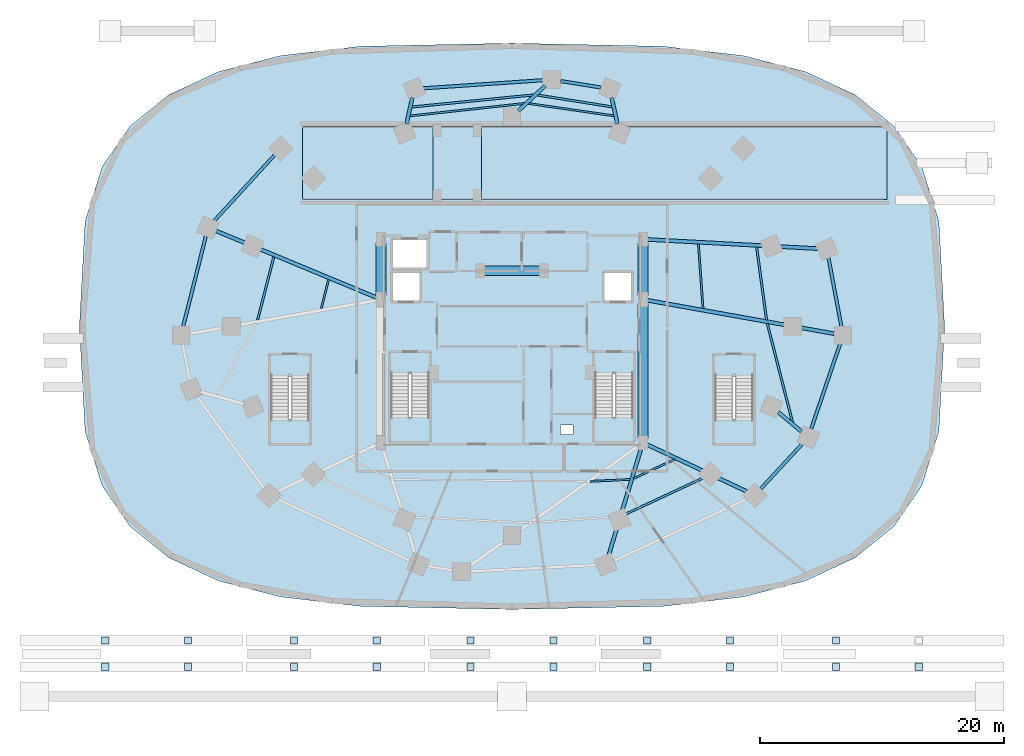
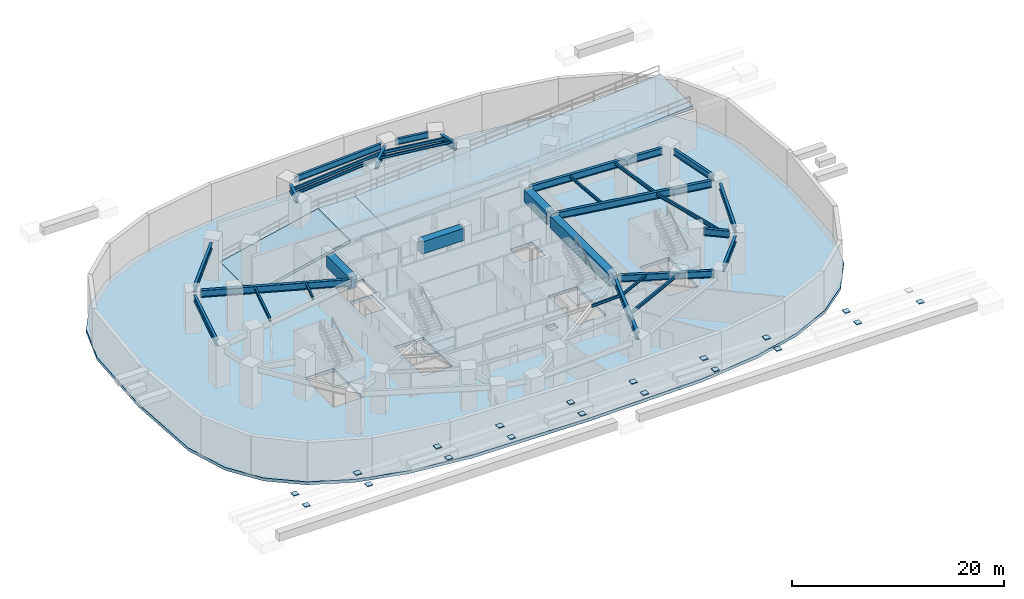
# One storey, part 2 of 8: 32 beams, 19 plates, 8 slabs, 4 elements without a shape of their own.
"""IFC4 building model written with IfcOpenShell, lengths in metres."""

from ifc_helpers import new_model, si_unit, direction, frame, origin, origin_2d, place, context, subcontext, project, spatial, polyline, rectangle, i_section, outline, extrude, material, layer, layer_set, material_profile, profile_set, type_object, element, aggregate, save


model = new_model("IFC4")

# Units and contexts
model_context = context("Model", 3, precision=1e-05, world=origin(), true_north=direction((0.0, 1.0)))
body_context = subcontext(model_context, "Body", "Model", "MODEL_VIEW")
ifc_project = project(units=[si_unit("LENGTHUNIT", "METRE"), si_unit("AREAUNIT", "SQUARE_METRE"), si_unit("VOLUMEUNIT", "CUBIC_METRE"), si_unit("PLANEANGLEUNIT", "RADIAN"), si_unit("MASSUNIT", "GRAM", prefix="KILO")], contexts=[model_context])

# Site, building, storey
site_placement = place(None, origin())
site = spatial("IfcSite", under=ifc_project, at=site_placement, CompositionType="ELEMENT")
building_placement = place(site_placement, origin())
building = spatial("IfcBuilding", under=site, at=building_placement, Name="Vorneva Point Tower", CompositionType="ELEMENT")
storey_placement = place(building_placement, frame((0.0, 0.0, -4.800048828125)))
storey = spatial("IfcBuildingStorey", under=building, at=storey_placement, Name="B01", CompositionType="ELEMENT", Elevation=-4.800048828125)

# Beams
ifc_material_1 = material(Name="Steel S355", Category="steel")
ifc_material_profile_1 = material_profile(ifc_material_1, i_section(OverallWidth=0.300048828125, OverallDepth=0.7880859375, WebThickness=0.014404296875, FlangeThickness=0.02197265625, at=origin_2d()), Name="80Sh1")
ifc_profile_set_1 = profile_set([ifc_material_profile_1], Name="Steel S355")
beam_type_1 = type_object("IfcBeamType", Name="BM-GRD-80Sh1", PredefinedType="USERDEFINED", material=ifc_profile_set_1)
beam_1_placement = place(storey_placement, frame((64.45556640625, 25.390869140625, 4.066162109375), z_axis=(-0.984377963628, 0.176068238829, 0.0), x_axis=(-0.176068238829, -0.984377963628, 0.0)))
element("IfcBeam", 1, at=beam_1_placement, inside=storey, type_object=beam_type_1, Name="B01 Radial Primary Girder 01", ObjectType="GIRDER", PredefinedType="USERDEFINED", context=body_context, shape_type="SweptSolid", body=[
    extrude(i_section(OverallWidth=0.300048828125, OverallDepth=0.7880859375, WebThickness=0.014404296875, FlangeThickness=0.02197265625, at=origin_2d()), origin(), (0.0, 0.0, 1.0), 15.61474609375),
])
beam_2_placement = place(storey_placement, frame((63.11767578125, 32.37646484375, 4.066162109375), z_axis=(-0.99855432341, 0.053751866937, 0.0), x_axis=(-0.053751866937, -0.99855432341, 0.0)))
element("IfcBeam", 2, at=beam_2_placement, inside=storey, type_object=beam_type_1, Name="B01 Radial Primary Girder 02", ObjectType="GIRDER", PredefinedType="USERDEFINED", context=body_context, shape_type="SweptSolid", body=[
    extrude(i_section(OverallWidth=0.300048828125, OverallDepth=0.7880859375, WebThickness=0.014404296875, FlangeThickness=0.02197265625, at=origin_2d()), origin(), (0.0, 0.0, 1.0), 14.04833984375),
])
beam_3_placement = place(storey_placement, frame((46.185302734375, 44.77099609375, 4.066162109375), z_axis=(0.215480865744, -0.97650806269, 0.0), x_axis=(0.97650806269, 0.215480865744, 0.0)))
element("IfcBeam", 3, at=beam_3_placement, inside=storey, type_object=beam_type_1, Name="B01 Radial Primary Girder 04", ObjectType="GIRDER", PredefinedType="USERDEFINED", context=body_context, shape_type="SweptSolid", body=[
    extrude(i_section(OverallWidth=0.300048828125, OverallDepth=0.7880859375, WebThickness=0.014404296875, FlangeThickness=0.02197265625, at=origin_2d()), origin(), (0.0, 0.0, 1.0), 2.211669921875),
])
beam_4_placement = place(storey_placement, frame((40.72607421875, 45.74853515625, 4.066162109375), z_axis=(-0.730518095336, -0.682893338953, 0.0), x_axis=(0.682893338953, -0.730518095336, 0.0)))
element("IfcBeam", 4, at=beam_4_placement, inside=storey, type_object=beam_type_1, Name="B01 Radial Primary Girder 05", ObjectType="GIRDER", PredefinedType="USERDEFINED", context=body_context, shape_type="SweptSolid", body=[
    extrude(i_section(OverallWidth=0.300048828125, OverallDepth=0.7880859375, WebThickness=0.014404296875, FlangeThickness=0.02197265625, at=origin_2d()), origin(), (0.0, 0.0, 1.0), 2.993896484375),
])
beam_5_placement = place(storey_placement, frame((29.814697265625, 44.77099609375, 4.066162109375), z_axis=(-0.215480865744, -0.97650806269, 0.0), x_axis=(0.97650806269, -0.215480865744, 0.0)))
element("IfcBeam", 5, at=beam_5_placement, inside=storey, type_object=beam_type_1, Name="B01 Radial Primary Girder 06", ObjectType="GIRDER", PredefinedType="USERDEFINED", context=body_context, shape_type="SweptSolid", body=[
    extrude(i_section(OverallWidth=0.300048828125, OverallDepth=0.7880859375, WebThickness=0.014404296875, FlangeThickness=0.02197265625, at=origin_2d()), origin(), (0.0, 0.0, 1.0), 2.211669921875),
])
beam_6_placement = place(storey_placement, frame((13.720703125, 33.822265625, 4.066162109375), z_axis=(0.923440919845, -0.383740625365, 0.0), x_axis=(0.383740625365, 0.923440919845, 0.0)))
element("IfcBeam", 6, at=beam_6_placement, inside=storey, type_object=beam_type_1, Name="B01 Radial Primary Girder 08", ObjectType="GIRDER", PredefinedType="USERDEFINED", context=body_context, shape_type="SweptSolid", body=[
    extrude(i_section(OverallWidth=0.300048828125, OverallDepth=0.7880859375, WebThickness=0.014404296875, FlangeThickness=0.02197265625, at=origin_2d()), origin(), (0.0, 0.0, 1.0), 14.31103515625),
])
beam_7_placement = place(storey_placement, frame((45.91796875, 7.14111328125, 4.066162109375), z_axis=(0.291040566437, 0.956710713167, 0.0), x_axis=(-0.956710713167, 0.291040566437, 0.0)))
element("IfcBeam", 7, at=beam_7_placement, inside=storey, type_object=beam_type_1, Name="B01 Radial Primary Girder 14", ObjectType="GIRDER", PredefinedType="USERDEFINED", context=body_context, shape_type="SweptSolid", body=[
    extrude(i_section(OverallWidth=0.300048828125, OverallDepth=0.7880859375, WebThickness=0.014404296875, FlangeThickness=0.02197265625, at=origin_2d()), origin(), (0.0, 0.0, 1.0), 9.39013671875),
])
beam_8_placement = place(storey_placement, frame((57.27099609375, 12.4384765625, 4.066162109375), z_axis=(-0.90475164766, 0.425939498117, 0.0), x_axis=(-0.425939498117, -0.90475164766, 0.0)))
element("IfcBeam", 8, at=beam_8_placement, inside=storey, type_object=beam_type_1, Name="B01 Radial Primary Girder 15", ObjectType="GIRDER", PredefinedType="USERDEFINED", context=body_context, shape_type="SweptSolid", body=[
    extrude(i_section(OverallWidth=0.300048828125, OverallDepth=0.7880859375, WebThickness=0.014404296875, FlangeThickness=0.02197265625, at=origin_2d()), origin(), (0.0, 0.0, 1.0), 9.078125),
])
beam_9_placement = place(storey_placement, frame((61.767822265625, 17.35888671875, 4.066162109375), z_axis=(-0.768431084561, 0.63993254979, 0.0), x_axis=(-0.63993254979, -0.768431084561, 0.0)))
element("IfcBeam", 9, at=beam_9_placement, inside=storey, type_object=beam_type_1, Name="B01 Radial Primary Girder 16", ObjectType="GIRDER", PredefinedType="USERDEFINED", context=body_context, shape_type="SweptSolid", body=[
    extrude(i_section(OverallWidth=0.300048828125, OverallDepth=0.7880859375, WebThickness=0.014404296875, FlangeThickness=0.02197265625, at=origin_2d()), origin(), (0.0, 0.0, 1.0), 2.4794921875),
])
ifc_material_2 = material(Name="Concrete B60 (C50/60)", Category="concrete")
ifc_material_profile_2 = material_profile(ifc_material_2, rectangle(XDim=0.800048828125, YDim=1.39990234375, at=origin_2d()), Name="RC-BM 1400x800")
ifc_profile_set_2 = profile_set([ifc_material_profile_2], Name="Concrete B60 (C50/60)")
beam_type_2 = type_object("IfcBeamType", Name="BM-GRD-RC1400", PredefinedType="USERDEFINED", material=ifc_profile_set_2)
beam_10_placement = place(storey_placement, frame((27.25, 28.52001953125, 3.760009765625), z_axis=(0.0, 1.0, 0.0), x_axis=(-1.0, 0.0, 0.0)))
element("IfcBeam", 10, at=beam_10_placement, inside=storey, type_object=beam_type_2, Name="B01 Core Tie Girder CT2", ObjectType="GIRDER", PredefinedType="USERDEFINED", context=body_context, shape_type="SweptSolid", body=[
    extrude(rectangle(XDim=0.800048828125, YDim=1.39990234375, at=origin_2d()), origin(), (0.0, 0.0, 1.0), 4.31005859375),
])
beam_11_placement = place(storey_placement, frame((48.75, 16.77001953125, 3.760009765625), z_axis=(0.0, 1.0, 0.0), x_axis=(-1.0, 0.0, 0.0)))
element("IfcBeam", 11, at=beam_11_placement, inside=storey, type_object=beam_type_2, Name="B01 Core Tie Girder CT3", ObjectType="GIRDER", PredefinedType="USERDEFINED", context=body_context, shape_type="SweptSolid", body=[
    extrude(rectangle(XDim=0.800048828125, YDim=1.39990234375, at=origin_2d()), origin(), (0.0, 0.0, 1.0), 11.10986328125),
])
beam_12_placement = place(storey_placement, frame((48.75, 28.52001953125, 3.760009765625), z_axis=(0.0, 1.0, 0.0), x_axis=(-1.0, 0.0, 0.0)))
element("IfcBeam", 12, at=beam_12_placement, inside=storey, type_object=beam_type_2, Name="B01 Core Tie Girder CT4", ObjectType="GIRDER", PredefinedType="USERDEFINED", context=body_context, shape_type="SweptSolid", body=[
    extrude(rectangle(XDim=0.800048828125, YDim=1.39990234375, at=origin_2d()), origin(), (0.0, 0.0, 1.0), 4.31005859375),
])
beam_13_placement = place(storey_placement, frame((35.719970703125, 30.550048828125, 3.760009765625), z_axis=(1.0, 0.0, 0.0), x_axis=(0.0, 1.0, 0.0)))
element("IfcBeam", 13, at=beam_13_placement, inside=storey, type_object=beam_type_2, Name="B01 Core Tie Girder CT8", ObjectType="GIRDER", PredefinedType="USERDEFINED", context=body_context, shape_type="SweptSolid", body=[
    extrude(rectangle(XDim=0.800048828125, YDim=1.39990234375, at=origin_2d()), origin(), (0.0, 0.0, 1.0), 4.56005859375),
])
ifc_material_profile_3 = material_profile(ifc_material_1, i_section(OverallWidth=0.14892578125, OverallDepth=0.298095703125, WebThickness=0.005615234375, FlangeThickness=0.008056640625, at=origin_2d()), Name="30B1")
ifc_profile_set_3 = profile_set([ifc_material_profile_3], Name="Steel S355")
beam_type_3 = type_object("IfcBeamType", Name="BM-JST-30B1", PredefinedType="JOIST", material=ifc_profile_set_3)
beam_14_placement = place(storey_placement, frame((53.686279296875, 27.452880859375, 4.31103515625), z_axis=(-0.071067952584, 0.997471476342, 0.0), x_axis=(-0.997471476342, -0.071067952584, 0.0)))
element("IfcBeam", 14, at=beam_14_placement, inside=storey, type_object=beam_type_3, Name="B01 Secondary Floor Beam 2.01", PredefinedType="JOIST", context=body_context, shape_type="SweptSolid", body=[
    extrude(i_section(OverallWidth=0.14892578125, OverallDepth=0.298095703125, WebThickness=0.005615234375, FlangeThickness=0.008056640625, at=origin_2d()), origin(), (0.0, 0.0, 1.0), 5.328125),
])
beam_15_placement = place(storey_placement, frame((46.38232421875, 43.279052734375, 4.31103515625), z_axis=(-0.989725501037, 0.142980532232, 0.0), x_axis=(-0.142980532232, -0.989725501037, 0.0)))
element("IfcBeam", 15, at=beam_15_placement, inside=storey, type_object=beam_type_3, Name="B01 Secondary Floor Beam 2.04", PredefinedType="JOIST", context=body_context, shape_type="SweptSolid", body=[
    extrude(i_section(OverallWidth=0.14892578125, OverallDepth=0.298095703125, WebThickness=0.005615234375, FlangeThickness=0.008056640625, at=origin_2d()), origin(), (0.0, 0.0, 1.0), 7.123779296875),
])
beam_16_placement = place(storey_placement, frame((39.05810546875, 44.302490234375, 4.31103515625), z_axis=(-0.994118796063, -0.108295056744, 0.0), x_axis=(0.108295056744, -0.994118796063, 0.0)))
element("IfcBeam", 16, at=beam_16_placement, inside=storey, type_object=beam_type_3, Name="B01 Secondary Floor Beam 2.05", PredefinedType="JOIST", context=body_context, shape_type="SweptSolid", body=[
    extrude(i_section(OverallWidth=0.14892578125, OverallDepth=0.298095703125, WebThickness=0.005615234375, FlangeThickness=0.008056640625, at=origin_2d()), origin(), (0.0, 0.0, 1.0), 9.49560546875),
])
beam_17_placement = place(storey_placement, frame((22.937744140625, 29.84423828125, 4.31103515625), z_axis=(-0.243047441537, -0.970014402554, 0.0), x_axis=(0.970014402554, -0.243047441537, 0.0)))
element("IfcBeam", 17, at=beam_17_placement, inside=storey, type_object=beam_type_3, Name="B01 Secondary Floor Beam 2.08", PredefinedType="JOIST", context=body_context, shape_type="SweptSolid", body=[
    extrude(i_section(OverallWidth=0.14892578125, OverallDepth=0.298095703125, WebThickness=0.005615234375, FlangeThickness=0.008056640625, at=origin_2d()), origin(), (0.0, 0.0, 1.0), 2.468994140625),
])
beam_18_placement = place(storey_placement, frame((44.4013671875, 13.263916015625, 4.31103515625), z_axis=(0.998832837648, 0.048300749844, 0.0), x_axis=(-0.048300749844, 0.998832837648, 0.0)))
element("IfcBeam", 18, at=beam_18_placement, inside=storey, type_object=beam_type_3, Name="B01 Secondary Floor Beam 2.13", PredefinedType="JOIST", context=body_context, shape_type="SweptSolid", body=[
    extrude(i_section(OverallWidth=0.14892578125, OverallDepth=0.298095703125, WebThickness=0.005615234375, FlangeThickness=0.008056640625, at=origin_2d()), origin(), (0.0, 0.0, 1.0), 3.295654296875),
])
beam_19_placement = place(storey_placement, frame((47.956298828125, 13.48779296875, 4.31103515625), z_axis=(0.906818377707, 0.421521565111, 0.0), x_axis=(-0.421521565111, 0.906818377707, 0.0)))
element("IfcBeam", 19, at=beam_19_placement, inside=storey, type_object=beam_type_3, Name="B01 Secondary Floor Beam 2.14", PredefinedType="JOIST", context=body_context, shape_type="SweptSolid", body=[
    extrude(i_section(OverallWidth=0.14892578125, OverallDepth=0.298095703125, WebThickness=0.005615234375, FlangeThickness=0.008056640625, at=origin_2d()), origin(), (0.0, 0.0, 1.0), 3.793701171875),
])
ifc_material_profile_4 = material_profile(ifc_material_1, i_section(OverallWidth=0.174072265625, OverallDepth=0.345947265625, WebThickness=0.006103515625, FlangeThickness=0.009033203125, at=origin_2d()), Name="35B1")
ifc_profile_set_4 = profile_set([ifc_material_profile_4], Name="Steel S355")
beam_type_4 = type_object("IfcBeamType", Name="BM-SEC-35B1", PredefinedType="BEAM", material=ifc_profile_set_4)
beam_20_placement = place(storey_placement, frame((58.9033203125, 26.517333984375, 4.287109375), z_axis=(-0.135068183803, 0.99083630622, 0.0), x_axis=(-0.99083630622, -0.135068183803, 0.0)))
element("IfcBeam", 20, at=beam_20_placement, inside=storey, type_object=beam_type_4, Name="B01 Secondary Floor Beam 1.01", PredefinedType="BEAM", context=body_context, shape_type="SweptSolid", body=[
    extrude(i_section(OverallWidth=0.174072265625, OverallDepth=0.345947265625, WebThickness=0.006103515625, FlangeThickness=0.009033203125, at=origin_2d()), origin(), (0.0, 0.0, 1.0), 6.0498046875),
])
beam_21_placement = place(storey_placement, frame((46.220458984375, 44.01513671875, 4.287109375), z_axis=(-0.987632828415, 0.156784553565, 0.0), x_axis=(-0.156784553565, -0.987632828415, 0.0)))
element("IfcBeam", 21, at=beam_21_placement, inside=storey, type_object=beam_type_4, Name="B01 Secondary Floor Beam 1.04", PredefinedType="BEAM", context=body_context, shape_type="SweptSolid", body=[
    extrude(i_section(OverallWidth=0.174072265625, OverallDepth=0.345947265625, WebThickness=0.006103515625, FlangeThickness=0.009033203125, at=origin_2d()), origin(), (0.0, 0.0, 1.0), 6.222412109375),
])
beam_22_placement = place(storey_placement, frame((39.801513671875, 44.998779296875, 4.287109375), z_axis=(-0.995138923654, -0.09848107752, 0.0), x_axis=(0.09848107752, -0.995138923654, 0.0)))
element("IfcBeam", 22, at=beam_22_placement, inside=storey, type_object=beam_type_4, Name="B01 Secondary Floor Beam 1.05", PredefinedType="BEAM", context=body_context, shape_type="SweptSolid", body=[
    extrude(i_section(OverallWidth=0.174072265625, OverallDepth=0.345947265625, WebThickness=0.006103515625, FlangeThickness=0.009033203125, at=origin_2d()), origin(), (0.0, 0.0, 1.0), 10.070068359375),
])
beam_23_placement = place(storey_placement, frame((18.44384765625, 31.71142578125, 4.287109375), z_axis=(-0.248184847224, -0.968712693015, 0.0), x_axis=(0.968712693015, -0.248184847224, 0.0)))
element("IfcBeam", 23, at=beam_23_placement, inside=storey, type_object=beam_type_4, Name="B01 Secondary Floor Beam 1.08", PredefinedType="BEAM", context=body_context, shape_type="SweptSolid", body=[
    extrude(i_section(OverallWidth=0.174072265625, OverallDepth=0.345947265625, WebThickness=0.006103515625, FlangeThickness=0.009033203125, at=origin_2d()), origin(), (0.0, 0.0, 1.0), 5.365234375),
])
beam_24_placement = place(storey_placement, frame((47.02685546875, 10.43359375, 4.287109375), z_axis=(0.906367747267, 0.422489652789, 0.0), x_axis=(-0.422489652789, 0.906367747267, 0.0)))
element("IfcBeam", 24, at=beam_24_placement, inside=storey, type_object=beam_type_4, Name="B01 Secondary Floor Beam 1.14", PredefinedType="BEAM", context=body_context, shape_type="SweptSolid", body=[
    extrude(i_section(OverallWidth=0.174072265625, OverallDepth=0.345947265625, WebThickness=0.006103515625, FlangeThickness=0.009033203125, at=origin_2d()), origin(), (0.0, 0.0, 1.0), 7.90234375),
])
beam_25_placement = place(storey_placement, frame((61.047607421875, 18.063720703125, 4.287109375), z_axis=(-0.247606106106, 0.968860782682, 0.0), x_axis=(-0.968860782682, -0.247606106106, 0.0)))
element("IfcBeam", 25, at=beam_25_placement, inside=storey, type_object=beam_type_4, Name="B01 Secondary Floor Beam 1.16", PredefinedType="BEAM", context=body_context, shape_type="SweptSolid", body=[
    extrude(i_section(OverallWidth=0.174072265625, OverallDepth=0.345947265625, WebThickness=0.006103515625, FlangeThickness=0.009033203125, at=origin_2d()), origin(), (0.0, 0.0, 1.0), 8.446044921875),
])
ifc_material_profile_5 = material_profile(ifc_material_1, i_section(OverallWidth=0.260009765625, OverallDepth=0.69091796875, WebThickness=0.011962890625, FlangeThickness=0.015380859375, at=origin_2d()), Name="70B1")
ifc_profile_set_5 = profile_set([ifc_material_profile_5], Name="Steel S355")
beam_type_5 = type_object("IfcBeamType", Name="BM-SPN-70B1-SUB", PredefinedType="SPANDREL", material=ifc_profile_set_5)
beam_26_placement = place(storey_placement, frame((65.046630859375, 25.9833984375, 4.114501953125), z_axis=(-0.184432616026, 0.982845160819, 0.0), x_axis=(-0.982845160819, -0.184432616026, 0.0)))
element("IfcBeam", 26, at=beam_26_placement, inside=storey, type_object=beam_type_5, Name="B01 Perimeter Spandrel Ring Beam 01", PredefinedType="SPANDREL", context=body_context, shape_type="SweptSolid", body=[
    extrude(i_section(OverallWidth=0.260009765625, OverallDepth=0.69091796875, WebThickness=0.011962890625, FlangeThickness=0.015380859375, at=origin_2d()), origin(), (0.0, 0.0, 1.0), 5.729248046875),
])
beam_27_placement = place(storey_placement, frame((45.30029296875, 45.607666015625, 4.114501953125), z_axis=(-0.98747243374, 0.157791611323, 0.0), x_axis=(-0.157791611323, -0.98747243374, 0.0)))
element("IfcBeam", 27, at=beam_27_placement, inside=storey, type_object=beam_type_5, Name="B01 Perimeter Spandrel Ring Beam 04", PredefinedType="SPANDREL", context=body_context, shape_type="SweptSolid", body=[
    extrude(i_section(OverallWidth=0.260009765625, OverallDepth=0.69091796875, WebThickness=0.011962890625, FlangeThickness=0.015380859375, at=origin_2d()), origin(), (0.0, 0.0, 1.0), 3.351318359375),
])
beam_28_placement = place(storey_placement, frame((40.53173828125, 46.203125, 4.114501953125), z_axis=(-0.997736846563, -0.067239757663, 0.0), x_axis=(0.067239757663, -0.997736846563, 0.0)))
element("IfcBeam", 28, at=beam_28_placement, inside=storey, type_object=beam_type_5, Name="B01 Perimeter Spandrel Ring Beam 05", PredefinedType="SPANDREL", context=body_context, shape_type="SweptSolid", body=[
    extrude(i_section(OverallWidth=0.260009765625, OverallDepth=0.69091796875, WebThickness=0.011962890625, FlangeThickness=0.015380859375, at=origin_2d()), origin(), (0.0, 0.0, 1.0), 9.846923828125),
])
beam_29_placement = place(storey_placement, frame((18.505615234375, 40.058349609375, 4.114501953125), z_axis=(-0.676377408326, -0.736555226379, 0.0), x_axis=(0.736555226379, -0.676377408326, 0.0)))
element("IfcBeam", 29, at=beam_29_placement, inside=storey, type_object=beam_type_5, Name="B01 Perimeter Spandrel Ring Beam 07", PredefinedType="SPANDREL", context=body_context, shape_type="SweptSolid", body=[
    extrude(i_section(OverallWidth=0.260009765625, OverallDepth=0.69091796875, WebThickness=0.011962890625, FlangeThickness=0.015380859375, at=origin_2d()), origin(), (0.0, 0.0, 1.0), 7.34716796875),
])
beam_30_placement = place(storey_placement, frame((12.860107421875, 33.392578125, 4.114501953125), z_axis=(-0.243594390695, -0.969877194712, 0.0), x_axis=(0.969877194712, -0.243594390695, 0.0)))
element("IfcBeam", 30, at=beam_30_placement, inside=storey, type_object=beam_type_5, Name="B01 Perimeter Spandrel Ring Beam 08", PredefinedType="SPANDREL", context=body_context, shape_type="SweptSolid", body=[
    extrude(i_section(OverallWidth=0.260009765625, OverallDepth=0.69091796875, WebThickness=0.011962890625, FlangeThickness=0.015380859375, at=origin_2d()), origin(), (0.0, 0.0, 1.0), 7.649169921875),
])
beam_31_placement = place(storey_placement, frame((58.437255859375, 12.664306640625, 4.114501953125), z_axis=(0.678284149777, 0.734799708874, 0.0), x_axis=(-0.734799708874, 0.678284149777, 0.0)))
element("IfcBeam", 31, at=beam_31_placement, inside=storey, type_object=beam_type_5, Name="B01 Perimeter Spandrel Ring Beam 15", PredefinedType="SPANDREL", context=body_context, shape_type="SweptSolid", body=[
    extrude(i_section(OverallWidth=0.260009765625, OverallDepth=0.69091796875, WebThickness=0.011962890625, FlangeThickness=0.015380859375, at=origin_2d()), origin(), (0.0, 0.0, 1.0), 5.010986328125),
])
beam_32_placement = place(storey_placement, frame((62.571533203125, 17.58251953125, 4.114501953125), z_axis=(0.321902733239, 0.94677274482, 0.0), x_axis=(-0.94677274482, 0.321902733239, 0.0)))
element("IfcBeam", 32, at=beam_32_placement, inside=storey, type_object=beam_type_5, Name="B01 Perimeter Spandrel Ring Beam 16", PredefinedType="SPANDREL", context=body_context, shape_type="SweptSolid", body=[
    extrude(i_section(OverallWidth=0.260009765625, OverallDepth=0.69091796875, WebThickness=0.011962890625, FlangeThickness=0.015380859375, at=origin_2d()), origin(), (0.0, 0.0, 1.0), 7.375),
])

# Plates
ifc_layer_1 = layer(ifc_material_1, 0.02392578125)
ifc_layer_set_1 = layer_set([ifc_layer_1], Name="Steel S355")
plate_type = type_object("IfcPlateType", Name="PLT-CAP-EXT", PredefinedType="USERDEFINED", material=ifc_layer_set_1)
for number, where, z_axis, x_axis, name in (
    (33, (4.60009765625, -1.949951171875, 4.5419921875), (0.0, 0.0, 1.0), (1.0, 0.0, 0.0), "Waterfront Promenade Canopy CAN-01 Post 1 end closure plate 1"),
    (34, (11.39990234375, -1.949951171875, 4.5419921875), (0.0, 0.0, 1.0), (1.0, 0.0, 0.0), "Waterfront Promenade Canopy CAN-01 Post 2 end closure plate 1"),
    (35, (11.39990234375, 0.199951171875, 4.5419921875), (0.0, 0.0, 1.0), (1.0, 0.0, 0.0), "Waterfront Promenade Canopy CAN-01 Post 3 end closure plate 1"),
    (36, (4.60009765625, 0.199951171875, 4.5419921875), (0.0, 0.0, 1.0), (1.0, 0.0, 0.0), "Waterfront Promenade Canopy CAN-01 Post 4 end closure plate 1"),
    (37, (20.10009765625, -1.949951171875, 4.5419921875), (0.0, 0.0, 1.0), (1.0, 0.0, 0.0), "Waterfront Promenade Canopy CAN-02 Post 1 end closure plate 1"),
    (38, (26.89990234375, -1.949951171875, 4.5419921875), (0.0, 0.0, 1.0), (1.0, 0.0, 0.0), "Waterfront Promenade Canopy CAN-02 Post 2 end closure plate 1"),
    (39, (26.89990234375, 0.199951171875, 4.5419921875), (0.0, 0.0, 1.0), (1.0, 0.0, 0.0), "Waterfront Promenade Canopy CAN-02 Post 3 end closure plate 1"),
    (40, (20.10009765625, 0.199951171875, 4.5419921875), (0.0, 0.0, 1.0), (1.0, 0.0, 0.0), "Waterfront Promenade Canopy CAN-02 Post 4 end closure plate 1"),
    (41, (34.60009765625, -1.949951171875, 4.5419921875), (0.0, 0.0, 1.0), (1.0, 0.0, 0.0), "Waterfront Promenade Canopy CAN-03 Post 1 end closure plate 1"),
    (42, (41.39990234375, -1.949951171875, 4.5419921875), (0.0, 0.0, 1.0), (1.0, 0.0, 0.0), "Waterfront Promenade Canopy CAN-03 Post 2 end closure plate 1"),
    (43, (41.39990234375, 0.199951171875, 4.5419921875), (0.0, 0.0, 1.0), (1.0, 0.0, 0.0), "Waterfront Promenade Canopy CAN-03 Post 3 end closure plate 1"),
    (44, (34.60009765625, 0.199951171875, 4.5419921875), (0.0, 0.0, 1.0), (1.0, 0.0, 0.0), "Waterfront Promenade Canopy CAN-03 Post 4 end closure plate 1"),
    (45, (49.10009765625, -1.949951171875, 4.5419921875), (0.0, 0.0, 1.0), (1.0, 0.0, 0.0), "Waterfront Promenade Canopy CAN-04 Post 1 end closure plate 1"),
    (46, (55.89990234375, -1.949951171875, 4.5419921875), (0.0, 0.0, 1.0), (1.0, 0.0, 0.0), "Waterfront Promenade Canopy CAN-04 Post 2 end closure plate 1"),
    (47, (55.89990234375, 0.199951171875, 4.5419921875), (0.0, 0.0, 1.0), (1.0, 0.0, 0.0), "Waterfront Promenade Canopy CAN-04 Post 3 end closure plate 1"),
    (48, (49.10009765625, 0.199951171875, 4.5419921875), (0.0, 0.0, 1.0), (1.0, 0.0, 0.0), "Waterfront Promenade Canopy CAN-04 Post 4 end closure plate 1"),
    (49, (64.60009765625, -1.949951171875, 4.5419921875), (0.0, 0.0, 1.0), (1.0, 0.0, 0.0), "Waterfront Promenade Canopy CAN-05 Post 1 end closure plate 1"),
    (50, (71.39990234375, -1.949951171875, 4.5419921875), (0.0, 0.0, 1.0), (1.0, 0.0, 0.0), "Waterfront Promenade Canopy CAN-05 Post 2 end closure plate 1"),
    (51, (64.60009765625, 0.199951171875, 4.5419921875), (0.0, 0.0, 1.0), (1.0, 0.0, 0.0), "Waterfront Promenade Canopy CAN-05 Post 4 end closure plate 1"),
):
    element("IfcPlate", number, at=place(storey_placement, frame(where, z_axis=z_axis, x_axis=x_axis)), inside=storey, type_object=plate_type, Name=name, ObjectType="BASE PLATE", PredefinedType="USERDEFINED", context=body_context, shape_type="SweptSolid", body=[
        extrude(rectangle(XDim=0.60009765625, YDim=0.60009765625, at=origin_2d()), origin(), (0.0, 0.0, 1.0), 0.095947265625),
    ])

# Slab
ifc_material_3 = material(Name="Concrete B50 (C40/50)", Category="concrete")
ifc_layer_2 = layer(ifc_material_3, 0.35009765625)
ifc_layer_set_2 = layer_set([ifc_layer_2], Name="Concrete B50 (C40/50)")
slab_type_1 = type_object("IfcSlabType", Name="SLB-B01-350", PredefinedType="FLOOR", material=ifc_layer_set_2)
slab_1_placement = place(storey_placement, frame((0.0, 0.0, -0.349853515625)))
element("IfcSlab", 52, at=slab_1_placement, inside=storey, type_object=slab_type_1, Name="B01 Structural Floor Plate", PredefinedType="FLOOR", context=body_context, shape_type="SweptSolid", body=[
    extrude(outline(polyline([(73.52490234375, 26.0), (73.057373046875, 34.615478515625), (71.66357421875, 39.0849609375), (69.365966796875, 42.4384765625), (66.18359375, 45.00390625), (62.1005859375, 46.908203125), (56.998291015625, 48.222412109375), (50.427978515625, 48.992431640625), (38.0, 49.24609375), (25.572021484375, 48.992431640625), (19.001708984375, 48.222412109375), (13.8994140625, 46.908203125), (9.81640625, 45.00390625), (6.634033203125, 42.4384765625), (4.33642578125, 39.0849609375), (2.942626953125, 34.615478515625), (2.47509765625, 26.0), (2.942626953125, 17.384521484375), (4.33642578125, 12.9150390625), (6.634033203125, 9.5615234375), (9.81640625, 6.99609375), (13.8994140625, 5.091796875), (19.001708984375, 3.777587890625), (25.572021484375, 3.007568359375), (38.0, 2.75390625), (50.427978515625, 3.007568359375), (56.998291015625, 3.777587890625), (62.1005859375, 5.091796875), (66.18359375, 6.99609375), (69.365966796875, 9.5615234375), (71.66357421875, 12.9150390625), (73.057373046875, 17.384521484375), (73.52490234375, 26.0)]), holes=[polyline([(28.10009765625, 28.0), (30.5, 28.0), (30.5, 30.5), (28.10009765625, 30.5), (28.10009765625, 28.0)]), polyline([(45.5, 28.0), (47.89990234375, 28.0), (47.89990234375, 30.5), (45.5, 30.5), (45.5, 28.0)]), polyline([(28.10009765625, 30.699951171875), (31.10009765625, 30.699951171875), (31.10009765625, 33.199951171875), (28.10009765625, 33.199951171875), (28.10009765625, 30.699951171875)]), polyline([(28.050048828125, 16.60009765625), (31.199951171875, 16.60009765625), (31.199951171875, 22.080078125), (28.050048828125, 22.080078125), (28.050048828125, 16.60009765625)]), polyline([(44.800048828125, 16.60009765625), (47.949951171875, 16.60009765625), (47.949951171875, 22.080078125), (44.800048828125, 22.080078125), (44.800048828125, 16.60009765625)]), polyline([(18.199951171875, 16.39990234375), (21.35009765625, 16.39990234375), (21.35009765625, 21.8798828125), (18.199951171875, 21.8798828125), (18.199951171875, 16.39990234375)]), polyline([(54.64990234375, 16.39990234375), (57.800048828125, 16.39990234375), (57.800048828125, 21.8798828125), (54.64990234375, 21.8798828125), (54.64990234375, 16.39990234375)]), polyline([(42.0, 17.10009765625), (43.0, 17.10009765625), (43.0, 17.89990234375), (42.0, 17.89990234375), (42.0, 17.10009765625)]), polyline([(20.800048828125, 36.39990234375), (22.280029296875, 36.39990234375), (22.280029296875, 42.39990234375), (20.800048828125, 42.39990234375), (20.800048828125, 36.39990234375)])]), origin(), (0.0, 0.0, 1.0), 0.349853515625),
])

# Stair, slab
stair_type = type_object("IfcStairType", Name="ST-DOG-1500", PredefinedType="HALF_TURN_STAIR", material=ifc_material_3)
stair_1_placement = place(storey_placement, origin())
stair_1 = element("IfcStair", 53, at=stair_1_placement, inside=storey, type_object=stair_type, Name="B01 ST1", PredefinedType="HALF_TURN_STAIR")
ifc_layer_3 = layer(ifc_material_3, 0.199951171875)
ifc_layer_set_3 = layer_set([ifc_layer_3], Name="Concrete B50 (C40/50)")
slab_type_2 = type_object("IfcSlabType", Name="SLB-LND-200", PredefinedType="LANDING", material=ifc_layer_set_3)
slab_2_placement = place(storey_placement, frame((0.0, 0.0, 2.199951171875)))
slab_2 = element("IfcSlab", 54, at=slab_2_placement, type_object=slab_type_2, Name="ST1 landing 1", PredefinedType="LANDING", context=body_context, shape_type="SweptSolid", body=[
    extrude(outline(polyline([(27.929931640625, 16.47998046875), (31.320068359375, 16.47998046875), (31.320068359375, 18.570068359375), (27.929931640625, 18.570068359375), (27.929931640625, 16.47998046875)])), origin(), (0.0, 0.0, 1.0), 0.2001953125),
])
aggregate(stair_1, [slab_2])

stair_2_placement = place(storey_placement, origin())
stair_2 = element("IfcStair", 55, at=stair_2_placement, inside=storey, type_object=stair_type, Name="B01 ST2", PredefinedType="HALF_TURN_STAIR")
slab_3_placement = place(storey_placement, frame((0.0, 0.0, 2.199951171875)))
slab_3 = element("IfcSlab", 56, at=slab_3_placement, type_object=slab_type_2, Name="ST2 landing 1", PredefinedType="LANDING", context=body_context, shape_type="SweptSolid", body=[
    extrude(outline(polyline([(44.679931640625, 16.47998046875), (48.070068359375, 16.47998046875), (48.070068359375, 18.570068359375), (44.679931640625, 18.570068359375), (44.679931640625, 16.47998046875)])), origin(), (0.0, 0.0, 1.0), 0.2001953125),
])
aggregate(stair_2, [slab_3])

stair_3_placement = place(storey_placement, origin())
stair_3 = element("IfcStair", 57, at=stair_3_placement, inside=storey, type_object=stair_type, Name="B01 ST3", PredefinedType="HALF_TURN_STAIR")
slab_4_placement = place(storey_placement, frame((0.0, 0.0, 2.199951171875)))
slab_4 = element("IfcSlab", 58, at=slab_4_placement, type_object=slab_type_2, Name="ST3 landing 1", PredefinedType="LANDING", context=body_context, shape_type="SweptSolid", body=[
    extrude(outline(polyline([(18.080078125, 16.280029296875), (21.469970703125, 16.280029296875), (21.469970703125, 18.3701171875), (18.080078125, 18.3701171875), (18.080078125, 16.280029296875)])), origin(), (0.0, 0.0, 1.0), 0.2001953125),
])
aggregate(stair_3, [slab_4])

stair_4_placement = place(storey_placement, origin())
stair_4 = element("IfcStair", 59, at=stair_4_placement, inside=storey, type_object=stair_type, Name="B01 ST4", PredefinedType="HALF_TURN_STAIR")
slab_5_placement = place(storey_placement, frame((0.0, 0.0, 2.199951171875)))
slab_5 = element("IfcSlab", 60, at=slab_5_placement, type_object=slab_type_2, Name="ST4 landing 1", PredefinedType="LANDING", context=body_context, shape_type="SweptSolid", body=[
    extrude(outline(polyline([(54.530029296875, 16.280029296875), (57.919921875, 16.280029296875), (57.919921875, 18.3701171875), (54.530029296875, 18.3701171875), (54.530029296875, 16.280029296875)])), origin(), (0.0, 0.0, 1.0), 0.2001953125),
])
aggregate(stair_4, [slab_5])

# Slabs
ifc_layer_4 = layer(ifc_material_3, 0.300048828125)
ifc_layer_set_4 = layer_set([ifc_layer_4], Name="Concrete B50 (C40/50)")
slab_type_3 = type_object("IfcSlabType", Name="SLB-RMP-300", PredefinedType="LANDING", material=ifc_layer_set_4)
slab_6_placement = place(storey_placement, frame((0.0, 0.0, 2.1201171875)))
element("IfcSlab", 61, at=slab_6_placement, inside=storey, type_object=slab_type_3, Name="Car Park Vehicle Ramp Structural Landing Slab", PredefinedType="LANDING", context=body_context, shape_type="SweptSolid", body=[
    extrude(outline(polyline([(31.5, 36.39990234375), (35.5, 36.39990234375), (35.5, 42.39990234375), (31.5, 42.39990234375), (31.5, 36.39990234375)])), origin(), (0.0, 0.0, 1.0), 0.280029296875),
])
ifc_layer_5 = layer(ifc_material_3, 0.300048828125)
ifc_layer_set_5 = layer_set([ifc_layer_5], Name="Concrete B50 (C40/50)")
slab_type_4 = type_object("IfcSlabType", Name="SLB-RMP-FLT", PredefinedType="LANDING", material=ifc_layer_set_5)
slab_7_placement = place(storey_placement, frame((20.804931640625, 39.39990234375, 0.0), z_axis=(0.0, 0.0, 1.0), x_axis=(1.0, 0.0, 0.0)))
element("IfcSlab", 62, at=slab_7_placement, inside=storey, type_object=slab_type_4, Name="Car Park Vehicle Ramp Flight 1 Structural Slab (Car Park Vehicle Ramp RMP-V1)", PredefinedType="LANDING", context=body_context, shape_type="SweptSolid", body=[
    extrude(outline(polyline([(0.0, -0.300048828125), (10.690185546875, 2.10009765625), (10.690185546875, 2.400146484375), (0.0, 0.0), (0.0, -0.300048828125)])), frame((0.0, 3.0, 0.0), z_axis=(0.0, -1.0, 0.0), x_axis=(1.0, 0.0, 0.0)), (0.0, 0.0, 1.0), 6.0),
])
slab_8_placement = place(storey_placement, frame((35.5048828125, 39.39990234375, 2.400146484375), z_axis=(0.0, 0.0, 1.0), x_axis=(1.0, 0.0, 0.0)))
element("IfcSlab", 63, at=slab_8_placement, inside=storey, type_object=slab_type_4, Name="Car Park Vehicle Ramp Flight 2 Structural Slab (Car Park Vehicle Ramp RMP-V1)", PredefinedType="LANDING", context=body_context, shape_type="SweptSolid", body=[
    extrude(outline(polyline([(0.0, -0.300048828125), (33.2900390625, 2.099853515625), (33.2900390625, 2.39990234375), (0.0, 0.0), (0.0, -0.300048828125)])), frame((0.0, 3.0, 0.0), z_axis=(0.0, -1.0, 0.0), x_axis=(1.0, 0.0, 0.0)), (0.0, 0.0, 1.0), 6.0),
])

save(model, "model.ifc")
